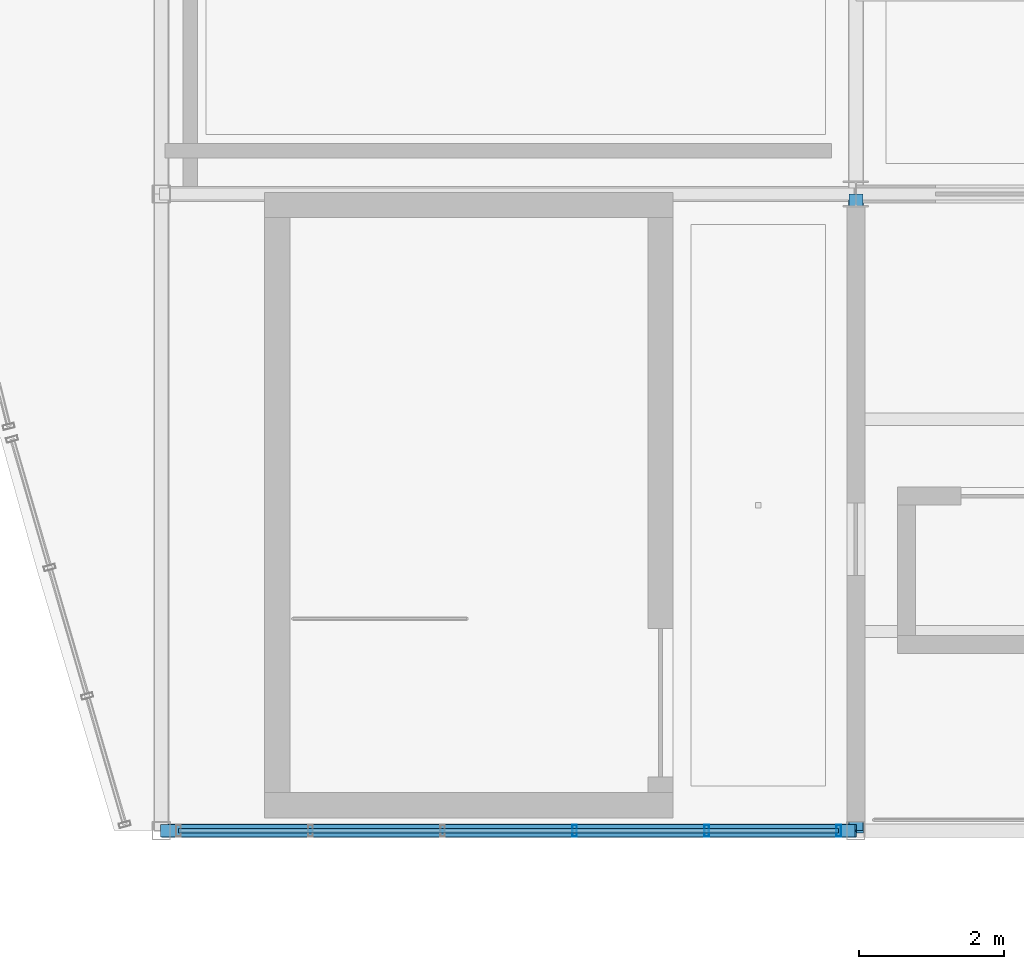
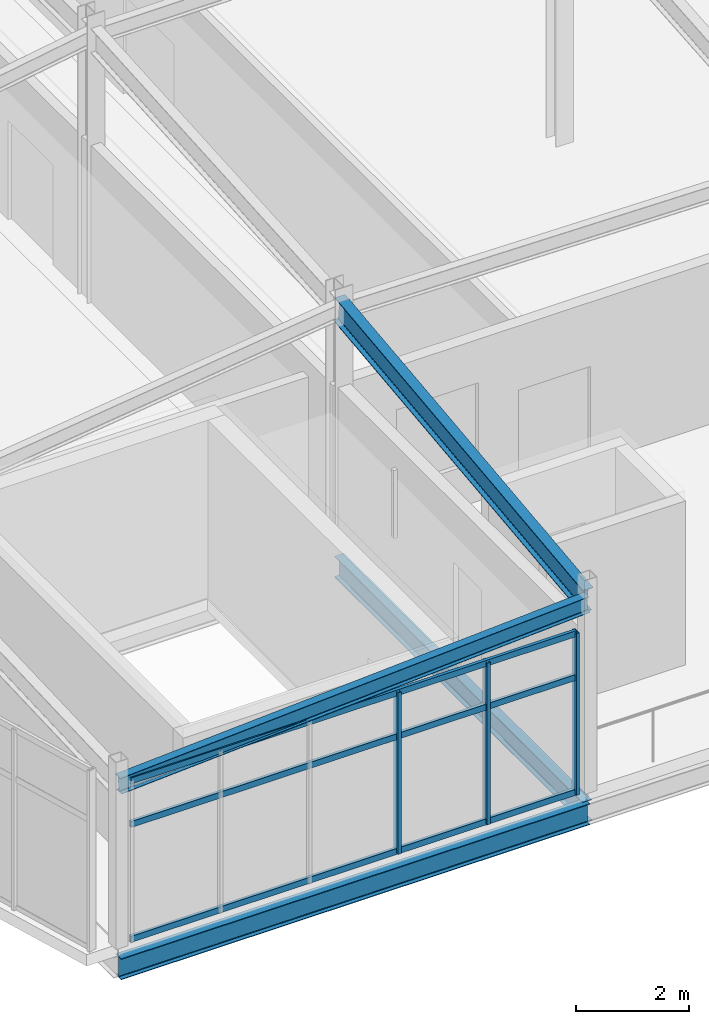
# One storey, part 16 of 114: 7 members, 3 beams, 1 element without a shape of its own.
"""IFC4 building model written with IfcOpenShell, lengths in metres."""

from ifc_helpers import new_model, si_unit, direction, frame, origin, origin_2d, place, context, subcontext, project, spatial, hollow_rectangle, i_section, extrude, material, layer, layer_set, material_profile, profile_set, type_object, element, aggregate, save


model = new_model("IFC4")

# Units and contexts
model_context = context("Model", 3, precision=1e-05, world=origin(), true_north=direction((0.0, 1.0)))
body_context = subcontext(model_context, "Body", "Model", "MODEL_VIEW")
ifc_project = project(units=[si_unit("LENGTHUNIT", "METRE"), si_unit("AREAUNIT", "SQUARE_METRE"), si_unit("VOLUMEUNIT", "CUBIC_METRE"), si_unit("PLANEANGLEUNIT", "RADIAN"), si_unit("MASSUNIT", "GRAM", prefix="KILO")], contexts=[model_context])

# Site, building, storey
site_placement = place(None, origin())
site = spatial("IfcSite", under=ifc_project, at=site_placement, CompositionType="ELEMENT")
building_placement = place(site_placement, origin())
building = spatial("IfcBuilding", under=site, at=building_placement, Name="Chalmorin Arch Market", CompositionType="ELEMENT")
storey_placement = place(building_placement, frame((0.0, 0.0, 9.60009765625)))
storey = spatial("IfcBuildingStorey", under=building, at=storey_placement, Name="L02", CompositionType="ELEMENT", Elevation=9.60009765625)

# Curtain wall, members
ifc_material_1 = material(Name="Aluminium 6063-T6", Category="aluminium")
ifc_layer = layer(ifc_material_1, 0.159912109375)
ifc_layer_set = layer_set([ifc_layer], Name="Aluminium 6063-T6")
curtain_wall_type = type_object("IfcCurtainWallType", Name="RiverfrontStorefrontCurtainWall-CW2-9130x3500", PredefinedType="NOTDEFINED", material=ifc_layer_set)
curtain_wall_placement = place(storey_placement, origin())
curtain_wall = element("IfcCurtainWall", 1, at=curtain_wall_placement, inside=storey, type_object=curtain_wall_type, Name="CW-02-094", PredefinedType="NOTDEFINED")
ifc_material_profile_1 = material_profile(ifc_material_1, hollow_rectangle(XDim=0.06494140625, YDim=0.159912109375, WallThickness=0.00390625, at=origin_2d()), Name="ALU65X160X4")
ifc_profile_set_1 = profile_set([ifc_material_profile_1], Name="Aluminium 6063-T6")
member_type_1 = type_object("IfcMemberType", Name="CurtainWallMullion-65x160", PredefinedType="MULLION", material=ifc_profile_set_1)
member_1_placement = place(storey_placement, frame((5.712646484375, 6.0, 0.0), z_axis=(0.0, 0.0, 1.0), x_axis=(1.0, 0.0, 0.0)))
member_1 = element("IfcMember", 2, at=member_1_placement, type_object=member_type_1, Name="ML-094-04", PredefinedType="MULLION", context=body_context, shape_type="SweptSolid", body=[
    extrude(hollow_rectangle(XDim=0.06494140625, YDim=0.159912109375, WallThickness=0.00390625, at=origin_2d()), origin(), (0.0, 0.0, 1.0), 3.5),
])
member_2_placement = place(storey_placement, frame((7.537841796875, 6.0, 0.0), z_axis=(0.0, 0.0, 1.0), x_axis=(1.0, 0.0, 0.0)))
member_2 = element("IfcMember", 3, at=member_2_placement, type_object=member_type_1, Name="ML-094-05", PredefinedType="MULLION", context=body_context, shape_type="SweptSolid", body=[
    extrude(hollow_rectangle(XDim=0.06494140625, YDim=0.159912109375, WallThickness=0.00390625, at=origin_2d()), origin(), (0.0, 0.0, 1.0), 3.5),
])
member_3_placement = place(storey_placement, frame((9.363037109375, 6.0, 0.0), z_axis=(0.0, 0.0, 1.0), x_axis=(1.0, 0.0, 0.0)))
member_3 = element("IfcMember", 4, at=member_3_placement, type_object=member_type_1, Name="ML-094-06", PredefinedType="MULLION", context=body_context, shape_type="SweptSolid", body=[
    extrude(hollow_rectangle(XDim=0.06494140625, YDim=0.159912109375, WallThickness=0.00390625, at=origin_2d()), origin(), (0.0, 0.0, 1.0), 3.5),
])
ifc_material_profile_2 = material_profile(ifc_material_1, hollow_rectangle(XDim=0.06494140625, YDim=0.1298828125, WallThickness=0.00390625, at=origin_2d()), Name="ALU65X130X4")
ifc_profile_set_2 = profile_set([ifc_material_profile_2], Name="Aluminium 6063-T6")
member_type_2 = type_object("IfcMemberType", Name="CurtainWallTransom-65x130", PredefinedType="USERDEFINED", material=ifc_profile_set_2)
member_4_placement = place(storey_placement, frame((0.237060546875, 6.0, 0.034912109375), z_axis=(1.0, 0.0, 0.0), x_axis=(0.0, 1.0, 0.0)))
member_4 = element("IfcMember", 5, at=member_4_placement, type_object=member_type_2, Name="TR-094-01", ObjectType="TRANSOM", PredefinedType="USERDEFINED", context=body_context, shape_type="SweptSolid", body=[
    extrude(hollow_rectangle(XDim=0.06494140625, YDim=0.1298828125, WallThickness=0.00390625, at=origin_2d()), origin(), (0.0, 0.0, 1.0), 9.1259765625),
])
member_5_placement = place(storey_placement, frame((0.237060546875, 6.0, 2.52001953125), z_axis=(1.0, 0.0, 0.0), x_axis=(0.0, 1.0, 0.0)))
member_5 = element("IfcMember", 6, at=member_5_placement, type_object=member_type_2, Name="TR-094-02", ObjectType="TRANSOM", PredefinedType="USERDEFINED", context=body_context, shape_type="SweptSolid", body=[
    extrude(hollow_rectangle(XDim=0.06494140625, YDim=0.1298828125, WallThickness=0.00390625, at=origin_2d()), origin(), (0.0, 0.0, 1.0), 9.1259765625),
])
member_6_placement = place(storey_placement, frame((0.237060546875, 6.0, 3.46484375), z_axis=(1.0, 0.0, 0.0), x_axis=(0.0, 1.0, 0.0)))
member_6 = element("IfcMember", 7, at=member_6_placement, type_object=member_type_2, Name="TR-094-03", ObjectType="TRANSOM", PredefinedType="USERDEFINED", context=body_context, shape_type="SweptSolid", body=[
    extrude(hollow_rectangle(XDim=0.06494140625, YDim=0.1298828125, WallThickness=0.00390625, at=origin_2d()), origin(), (0.0, 0.0, 1.0), 9.1259765625),
])
aggregate(curtain_wall, [member_1, member_2, member_3, member_4, member_5, member_6])

# Beams
ifc_material_2 = material(Name="Steel A992 Grade 50", Category="steel")
ifc_material_profile_3 = material_profile(ifc_material_2, i_section(OverallWidth=0.19091796875, OverallDepth=0.45703125, WebThickness=0.009033203125, FlangeThickness=0.014404296875, FilletRadius=0.02001953125, at=origin_2d()), Name="W18X50")
ifc_profile_set_3 = profile_set([ifc_material_profile_3], Name="Steel A992 Grade 50")
beam_type_1 = type_object("IfcBeamType", Name="FloorSteelBeam-W18X50", PredefinedType="BEAM", material=ifc_profile_set_3)
beam_1_placement = place(storey_placement, frame((9.60009765625, 6.0, -0.490478515625), z_axis=(0.0, 1.0, 0.0), x_axis=(-1.0, 0.0, 0.0)))
element("IfcBeam", 8, at=beam_1_placement, inside=storey, type_object=beam_type_1, Name="BM-W18B-1137", PredefinedType="BEAM", context=body_context, shape_type="SweptSolid", body=[
    extrude(i_section(OverallWidth=0.19091796875, OverallDepth=0.45703125, WebThickness=0.009033203125, FlangeThickness=0.014404296875, FilletRadius=0.02001953125, at=origin_2d()), origin(), (0.0, 0.0, 1.0), 8.800048828125),
])
ifc_material_profile_4 = material_profile(ifc_material_2, i_section(OverallWidth=0.19091796875, OverallDepth=0.45703125, WebThickness=0.009033203125, FlangeThickness=0.014404296875, FilletRadius=0.02001953125, at=origin_2d()), Name="W18X50")
ifc_profile_set_4 = profile_set([ifc_material_profile_4], Name="Steel A992 Grade 50")
beam_type_2 = type_object("IfcBeamType", Name="PerimeterSpandrelBeam-W18X50", PredefinedType="SPANDREL", material=ifc_profile_set_4)
beam_2_placement = place(storey_placement, frame((0.0, 6.0, -0.490478515625), z_axis=(1.0, 0.0, 0.0), x_axis=(0.0, 1.0, 0.0)))
element("IfcBeam", 9, at=beam_2_placement, inside=storey, type_object=beam_type_2, Name="SP-W18-1134", PredefinedType="SPANDREL", context=body_context, shape_type="SweptSolid", body=[
    extrude(i_section(OverallWidth=0.19091796875, OverallDepth=0.45703125, WebThickness=0.009033203125, FlangeThickness=0.014404296875, FilletRadius=0.02001953125, at=origin_2d()), origin(), (0.0, 0.0, 1.0), 9.60009765625),
])
ifc_material_profile_5 = material_profile(ifc_material_2, i_section(OverallWidth=0.208984375, OverallDepth=0.532958984375, WebThickness=0.01025390625, FlangeThickness=0.015625, FilletRadius=0.02197265625, at=origin_2d()), Name="W21X62")
ifc_profile_set_5 = profile_set([ifc_material_profile_5], Name="Steel A992 Grade 50")
beam_type_3 = type_object("IfcBeamType", Name="PrimarySteelGirder-W21X62", PredefinedType="BEAM", material=ifc_profile_set_5)
beam_3_placement = place(storey_placement, frame((9.60009765625, 6.0, 4.081787109375), z_axis=(0.0, 0.993515336925, 0.113698176302), x_axis=(-1.0, 0.0, 0.0)))
element("IfcBeam", 10, at=beam_3_placement, inside=storey, type_object=beam_type_3, Name="BG-W21B-1528", PredefinedType="BEAM", context=body_context, shape_type="SweptSolid", body=[
    extrude(i_section(OverallWidth=0.208984375, OverallDepth=0.532958984375, WebThickness=0.01025390625, FlangeThickness=0.015625, FilletRadius=0.02197265625, at=origin_2d()), origin(), (0.0, 0.0, 1.0), 8.857421875),
])

# Member
ifc_material_profile_6 = material_profile(ifc_material_2, i_section(OverallWidth=0.1708984375, OverallDepth=0.35107421875, WebThickness=0.0068359375, FlangeThickness=0.009765625, FilletRadius=0.014892578125, at=origin_2d()), Name="W14X30")
ifc_profile_set_6 = profile_set([ifc_material_profile_6], Name="Steel A992 Grade 50")
member_type_3 = type_object("IfcMemberType", Name="RoofSteelPurlin-W14X30", PredefinedType="PURLIN", material=ifc_profile_set_6)
member_7_placement = place(storey_placement, frame((0.0, 6.0, 3.4658203125), z_axis=(0.998203813309, 0.0, 0.059909490855), x_axis=(0.0, 1.0, 0.0)))
element("IfcMember", 11, at=member_7_placement, inside=storey, type_object=member_type_3, Name="PR-W14-0015", PredefinedType="PURLIN", context=body_context, shape_type="SweptSolid", body=[
    extrude(i_section(OverallWidth=0.1708984375, OverallDepth=0.35107421875, WebThickness=0.0068359375, FlangeThickness=0.009765625, FilletRadius=0.014892578125, at=origin_2d()), origin(), (0.0, 0.0, 1.0), 9.617431640625),
])

save(model, "model.ifc")
